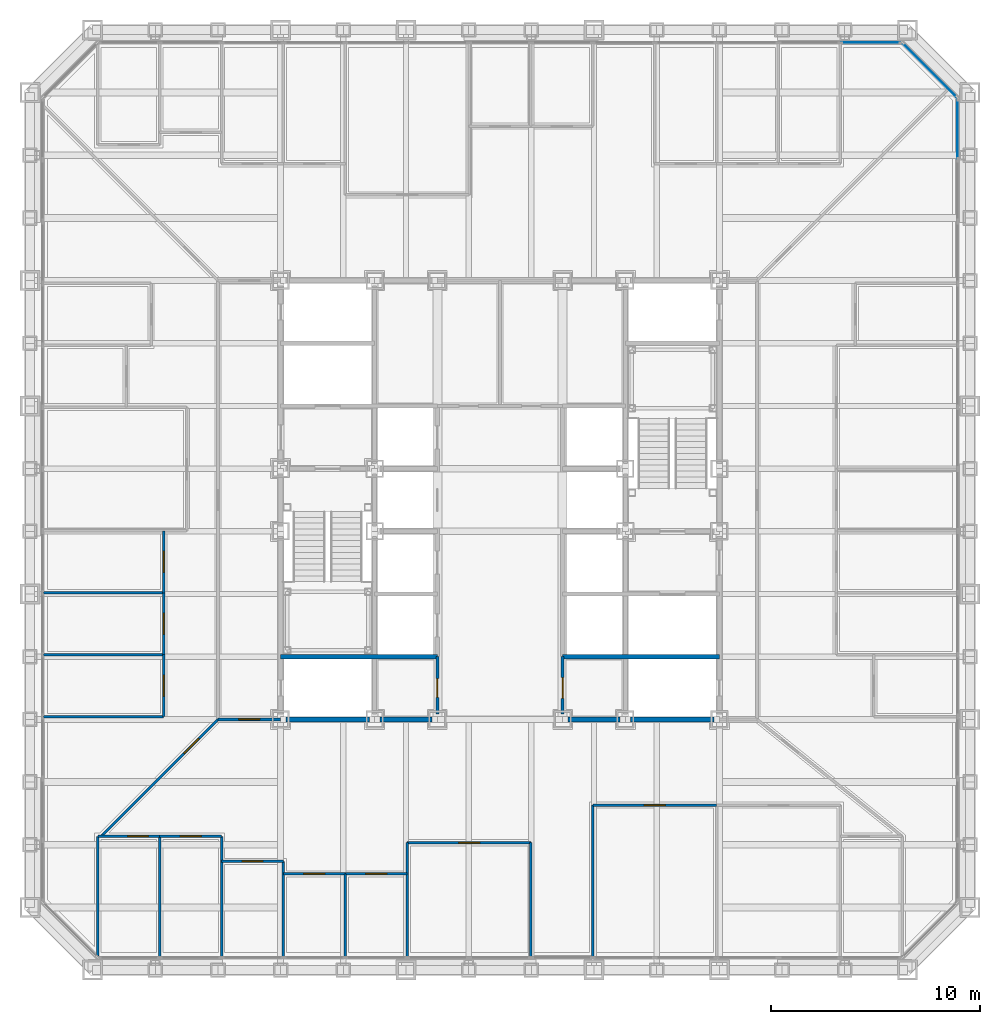
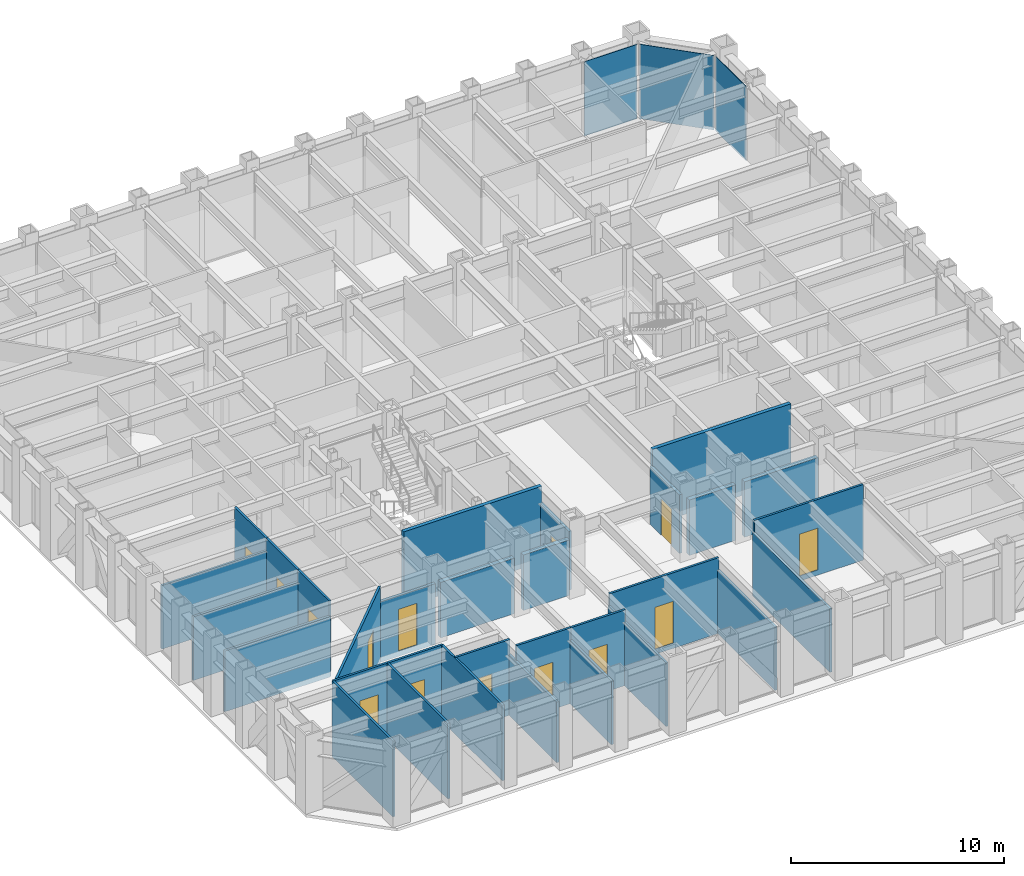
# One storey, part 8 of 17: 31 walls, 14 doors, 3 plates, 14 openings, 3 elements without a shape of their own.
"""IFC4 building model written with IfcOpenShell, lengths in metres."""

from ifc_helpers import new_model, si_unit, direction, frame, frame_2d, origin, origin_2d, place, context, subcontext, project, spatial, rectangle, extrude, material, layer, layer_set, type_object, element, fill, aggregate, save


model = new_model("IFC4")

# Units and contexts
model_context = context("Model", 3, precision=1e-05, world=origin(), true_north=direction((0.0, 1.0)))
body_context = subcontext(model_context, "Body", "Model", "MODEL_VIEW")
ifc_project = project(units=[si_unit("LENGTHUNIT", "METRE"), si_unit("AREAUNIT", "SQUARE_METRE"), si_unit("VOLUMEUNIT", "CUBIC_METRE"), si_unit("PLANEANGLEUNIT", "RADIAN"), si_unit("MASSUNIT", "GRAM", prefix="KILO")], contexts=[model_context])

# Site, building, storey
site_placement = place(None, origin())
site = spatial("IfcSite", under=ifc_project, at=site_placement, CompositionType="ELEMENT")
building_placement = place(site_placement, origin())
building = spatial("IfcBuilding", under=site, at=building_placement, Name="Chuquiago Exchange Tower", CompositionType="ELEMENT")
storey_placement = place(building_placement, frame((0.0, 0.0, 42.300048828125)))
storey = spatial("IfcBuildingStorey", under=building, at=storey_placement, Name="L08", CompositionType="ELEMENT", Elevation=42.300048828125)

# Curtain wall, plate
ifc_material_1 = material(Name="Aluminium curtain wall system", Category="aluminium")
ifc_layer_1 = layer(ifc_material_1, 0.25)
ifc_layer_set_1 = layer_set([ifc_layer_1], Name="CW1 trading floor curtain wall")
curtain_wall_type_1 = type_object("IfcCurtainWallType", Name="CW1 trading floor curtain wall", PredefinedType="NOTDEFINED", material=ifc_layer_set_1)
curtain_wall_1_placement = place(storey_placement, origin())
curtain_wall_1 = element("IfcCurtainWall", 1, at=curtain_wall_1_placement, inside=storey, type_object=curtain_wall_type_1, Name="CW1 curtain wall L08", PredefinedType="NOTDEFINED")
ifc_material_2 = material(Name="Insulated spandrel panel, pale anodised aluminium", Category="aluminium")
ifc_layer_2 = layer(ifc_material_2, 0.031982421875)
ifc_layer_set_2 = layer_set([ifc_layer_2], Name="CW1-P spandrel panel 32")
plate_type_1 = type_object("IfcPlateType", Name="CW1-P spandrel panel 32", PredefinedType="CURTAIN_PANEL", material=ifc_layer_set_2)
plate_1_placement = place(storey_placement, frame((44.39990234375, 40.251953125, -0.22509765625), z_axis=(0.0, 0.0, 1.0), x_axis=(0.0, 1.0, 0.0)))
plate_1 = element("IfcPlate", 2, at=plate_1_placement, type_object=plate_type_1, Name="CW1 panel 13.1", PredefinedType="CURTAIN_PANEL", context=body_context, shape_type="SweptSolid", body=[
    extrude(rectangle(XDim=2.849365234375, YDim=0.031982421875, at=origin_2d()), origin(), (0.0, 0.0, 1.0), 4.264892578125),
])
aggregate(curtain_wall_1, [plate_1])

curtain_wall_2_placement = place(storey_placement, origin())
curtain_wall_2 = element("IfcCurtainWall", 3, at=curtain_wall_2_placement, inside=storey, type_object=curtain_wall_type_1, Name="CW1 curtain wall L08", PredefinedType="NOTDEFINED")
plate_2_placement = place(storey_placement, frame((40.251953125, 44.39990234375, -0.22509765625), z_axis=(0.0, 0.0, 1.0), x_axis=(-1.0, 0.0, 0.0)))
plate_2 = element("IfcPlate", 4, at=plate_2_placement, type_object=plate_type_1, Name="CW1 panel 1.1", PredefinedType="CURTAIN_PANEL", context=body_context, shape_type="SweptSolid", body=[
    extrude(rectangle(XDim=2.849365234375, YDim=0.031982421875, at=origin_2d()), origin(), (0.0, 0.0, 1.0), 4.264892578125),
])
aggregate(curtain_wall_2, [plate_2])

ifc_material_3 = material(Name="Aluminium curtain wall system", Category="aluminium")
ifc_layer_3 = layer(ifc_material_3, 0.199951171875)
ifc_layer_set_3 = layer_set([ifc_layer_3], Name="CW3 facet curtain wall")
curtain_wall_type_2 = type_object("IfcCurtainWallType", Name="CW3 facet curtain wall", PredefinedType="NOTDEFINED", material=ifc_layer_set_3)
curtain_wall_3_placement = place(storey_placement, origin())
curtain_wall_3 = element("IfcCurtainWall", 5, at=curtain_wall_3_placement, inside=storey, type_object=curtain_wall_type_2, Name="CW3 curtain wall L08", PredefinedType="NOTDEFINED")
ifc_material_4 = material(Name="Insulated spandrel panel, pale anodised aluminium", Category="aluminium")
ifc_layer_4 = layer(ifc_material_4, 0.030029296875)
ifc_layer_set_4 = layer_set([ifc_layer_4], Name="CW3-P spandrel panel 30")
plate_type_2 = type_object("IfcPlateType", Name="CW3-P spandrel panel 30", PredefinedType="CURTAIN_PANEL", material=ifc_layer_set_4)
plate_3_placement = place(storey_placement, frame((43.07568359375, 43.07568359375, -0.235107421875), z_axis=(0.0, 0.0, 1.0), x_axis=(-0.707106781187, 0.707106781187, 0.0)))
plate_3 = element("IfcPlate", 6, at=plate_3_placement, type_object=plate_type_2, Name="CW3 panel 1.1", PredefinedType="CURTAIN_PANEL", context=body_context, shape_type="SweptSolid", body=[
    extrude(rectangle(XDim=3.615478515625, YDim=0.030029296875, at=origin_2d()), origin(), (0.0, 0.0, 1.0), 4.27490234375),
])
aggregate(curtain_wall_3, [plate_3])

# Walls
ifc_material_5 = material(Name="Concrete masonry, fully grouted", Category="masonry")
ifc_layer_5 = layer(ifc_material_5, 0.25)
ifc_layer_set_5 = layer_set([ifc_layer_5], Name="W1 core wall 250")
wall_type_1 = type_object("IfcWallType", Name="W1 core wall 250", PredefinedType="SOLIDWALL", material=ifc_layer_set_5)
wall_1_placement = place(storey_placement, frame((12.25, 12.0, 0.0), z_axis=(0.0, 0.0, 1.0), x_axis=(1.0, 0.0, 0.0)))
element("IfcWall", 7, at=wall_1_placement, inside=storey, type_object=wall_type_1, Name="CW-L08-01-0", PredefinedType="SOLIDWALL", context=body_context, shape_type="SweptSolid", body=[
    extrude(rectangle(XDim=4.0, YDim=0.25, at=frame_2d((2.0, 0.0))), origin(), (0.0, 0.0, 1.0), 3.181396484375),
])
for number, where, z_axis, x_axis, name in (
    (8, (16.75, 12.0, 0.0), (0.0, 0.0, 1.0), (1.0, 0.0, 0.0), "CW-L08-01-1"),
    (9, (25.75, 12.0, 0.0), (0.0, 0.0, 1.0), (1.0, 0.0, 0.0), "CW-L08-02-0"),
):
    element("IfcWall", number, at=place(storey_placement, frame(where, z_axis=z_axis, x_axis=x_axis)), inside=storey, type_object=wall_type_1, Name=name, PredefinedType="SOLIDWALL", context=body_context, shape_type="SweptSolid", body=[
        extrude(rectangle(XDim=2.5, YDim=0.25, at=frame_2d((1.25, 0.0))), origin(), (0.0, 0.0, 1.0), 3.181396484375),
    ])
wall_2_placement = place(storey_placement, frame((28.75, 12.0, 0.0), z_axis=(0.0, 0.0, 1.0), x_axis=(1.0, 0.0, 0.0)))
element("IfcWall", 10, at=wall_2_placement, inside=storey, type_object=wall_type_1, Name="CW-L08-02-1", PredefinedType="SOLIDWALL", context=body_context, shape_type="SweptSolid", body=[
    extrude(rectangle(XDim=4.0, YDim=0.25, at=frame_2d((2.0, 0.0))), origin(), (0.0, 0.0, 1.0), 3.181396484375),
])

# Wall, opening, door
ifc_material_6 = material(Name="Gypsum board on steel studs, acoustic insulation", Category="steel")
ifc_layer_6 = layer(ifc_material_6, 0.14990234375)
ifc_layer_set_6 = layer_set([ifc_layer_6], Name="W11 corridor wall 150")
wall_type_2 = type_object("IfcWallType", Name="W11 corridor wall 150", PredefinedType="PARTITIONING", material=ifc_layer_set_6)
wall_3_placement = place(storey_placement, frame((9.0, 12.0, -0.300048828125), z_axis=(0.0, 0.0, 1.0), x_axis=(1.0, 0.0, 0.0)))
wall_3 = element("IfcWall", 11, at=wall_3_placement, inside=storey, type_object=wall_type_2, Name="PW-L08-GWS0", PredefinedType="PARTITIONING", context=body_context, shape_type="SweptSolid", body=[
    extrude(rectangle(XDim=3.0, YDim=0.14990234375, at=frame_2d((1.5, 0.0))), origin(), (0.0, 0.0, 1.0), 3.4814453125),
])
opening_1_placement = place(wall_3_placement, frame((1.0, 0.0, 0.300048828125)))
opening_1 = element("IfcOpeningElement", 12, at=opening_1_placement, cuts=wall_3, Name="Opening L08-052", PredefinedType="OPENING", context=body_context, shape_type="SweptSolid", body=[
    extrude(rectangle(XDim=1.0, YDim=2.39990234375, at=frame_2d((0.5, 1.199951171875))), frame((0.0, 0.0849609375, 0.0), z_axis=(0.0, -1.0, 0.0), x_axis=(1.0, 0.0, 0.0)), (0.0, 0.0, 1.0), 0.169921875),
])
ifc_material_7 = material(Name="Timber door, laminate faced", Category="wood")
door_type_1 = type_object("IfcDoorType", Name="D9 room door 1000x2400", OperationType="SINGLE_SWING_LEFT", PredefinedType="DOOR", material=ifc_material_7)
door_1_placement = place(opening_1_placement, origin())
door_1 = element("IfcDoor", 13, at=door_1_placement, inside=storey, type_object=door_type_1, Name="Team area door", OperationType="SINGLE_SWING_RIGHT", OverallHeight=2.39990234375, OverallWidth=1.0, PredefinedType="DOOR", context=body_context, shape_type="SweptSolid", body=[
    extrude(rectangle(XDim=1.0, YDim=2.39990234375, at=frame_2d((0.5, 1.199951171875))), frame((0.0, 0.02490234375, 0.0), z_axis=(0.0, -1.0, 0.0), x_axis=(1.0, 0.0, 0.0)), (0.0, 0.0, 1.0), 0.050048828125),
])
fill(opening_1, door_1)

# Walls
ifc_material_8 = material(Name="Concrete masonry, fully grouted", Category="masonry")
ifc_layer_7 = layer(ifc_material_8, 0.199951171875)
ifc_layer_set_7 = layer_set([ifc_layer_7], Name="W2 shaft wall 200")
wall_type_3 = type_object("IfcWallType", Name="W2 shaft wall 200", PredefinedType="SOLIDWALL", material=ifc_layer_set_7)
for number, where, z_axis, x_axis, name in (
    (14, (12.0, 15.0, 0.0), (0.0, 0.0, 1.0), (1.0, 0.0, 0.0), "CW-L08-03-0"),
    (15, (25.5, 15.0, 0.0), (0.0, 0.0, 1.0), (1.0, 0.0, 0.0), "CW-L08-04-0"),
):
    element("IfcWall", number, at=place(storey_placement, frame(where, z_axis=z_axis, x_axis=x_axis)), inside=storey, type_object=wall_type_3, Name=name, PredefinedType="SOLIDWALL", context=body_context, shape_type="SweptSolid", body=[
        extrude(rectangle(XDim=7.5, YDim=0.199951171875, at=frame_2d((3.75, 0.0))), origin(), (0.0, 0.0, 1.0), 4.33984375),
    ])

# Wall, opening, door
ifc_material_9 = material(Name="Gypsum board on steel studs", Category="steel")
ifc_layer_8 = layer(ifc_material_9, 0.14990234375)
ifc_layer_set_8 = layer_set([ifc_layer_8], Name="W3 core partition 150")
wall_type_4 = type_object("IfcWallType", Name="W3 core partition 150", PredefinedType="PARTITIONING", material=ifc_layer_set_8)
wall_4_placement = place(storey_placement, frame((19.5, 12.25, 0.0), z_axis=(0.0, 0.0, 1.0), x_axis=(0.0, 1.0, 0.0)))
wall_4 = element("IfcWall", 16, at=wall_4_placement, inside=storey, type_object=wall_type_4, Name="CW-L08-18-0", PredefinedType="PARTITIONING", context=body_context, shape_type="SweptSolid", body=[
    extrude(rectangle(XDim=2.75, YDim=0.14990234375, at=frame_2d((1.375, 0.0))), origin(), (0.0, 0.0, 1.0), 3.364501953125),
])
opening_2_placement = place(wall_4_placement, frame((0.800048828125, 0.0, 0.0)))
opening_2 = element("IfcOpeningElement", 17, at=opening_2_placement, cuts=wall_4, Name="Opening L08-014", PredefinedType="OPENING", context=body_context, shape_type="SweptSolid", body=[
    extrude(rectangle(XDim=0.89990234375, YDim=2.10009765625, at=frame_2d((0.449951171875, 1.050048828125))), frame((0.0, 0.0849609375, 0.0), z_axis=(0.0, -1.0, 0.0), x_axis=(1.0, 0.0, 0.0)), (0.0, 0.0, 1.0), 0.169921875),
])
ifc_material_10 = material(Name="Timber door, laminate faced", Category="wood")
door_type_2 = type_object("IfcDoorType", Name="D7 toilet door 900x2100", OperationType="SINGLE_SWING_LEFT", PredefinedType="DOOR", material=ifc_material_10)
door_2_placement = place(opening_2_placement, frame((0.89990234375, 0.0, 0.0), z_axis=(0.0, 0.0, 1.0), x_axis=(-1.0, 0.0, 0.0)))
door_2 = element("IfcDoor", 18, at=door_2_placement, inside=storey, type_object=door_type_2, Name="Cleaner door", OperationType="SINGLE_SWING_RIGHT", OverallHeight=2.10009765625, OverallWidth=0.89990234375, PredefinedType="DOOR", context=body_context, shape_type="SweptSolid", body=[
    extrude(rectangle(XDim=0.89990234375, YDim=2.10009765625, at=frame_2d((0.449951171875, 1.050048828125))), frame((0.0, 0.02490234375, 0.0), z_axis=(0.0, -1.0, 0.0), x_axis=(1.0, 0.0, 0.0)), (0.0, 0.0, 1.0), 0.050048828125),
])
fill(opening_2, door_2)

wall_5_placement = place(storey_placement, frame((25.5, 12.25, 0.0), z_axis=(0.0, 0.0, 1.0), x_axis=(0.0, 1.0, 0.0)))
wall_5 = element("IfcWall", 19, at=wall_5_placement, inside=storey, type_object=wall_type_4, Name="CW-L08-21-0", PredefinedType="PARTITIONING", context=body_context, shape_type="SweptSolid", body=[
    extrude(rectangle(XDim=2.75, YDim=0.14990234375, at=frame_2d((1.375, 0.0))), origin(), (0.0, 0.0, 1.0), 3.364501953125),
])
opening_3_placement = place(wall_5_placement, frame((0.75, 0.0, 0.0)))
opening_3 = element("IfcOpeningElement", 20, at=opening_3_placement, cuts=wall_5, Name="Opening L08-013", PredefinedType="OPENING", context=body_context, shape_type="SweptSolid", body=[
    extrude(rectangle(XDim=1.0, YDim=2.10009765625, at=frame_2d((0.5, 1.050048828125))), frame((0.0, 0.0849609375, 0.0), z_axis=(0.0, -1.0, 0.0), x_axis=(1.0, 0.0, 0.0)), (0.0, 0.0, 1.0), 0.169921875),
])
ifc_material_11 = material(Name="Timber door, laminate faced", Category="wood")
door_type_3 = type_object("IfcDoorType", Name="D8 accessible toilet door 1000x2100", OperationType="SLIDING_TO_LEFT", PredefinedType="DOOR", material=ifc_material_11)
door_3_placement = place(opening_3_placement, origin())
door_3 = element("IfcDoor", 21, at=door_3_placement, inside=storey, type_object=door_type_3, Name="Accessible WC door", OperationType="SLIDING_TO_LEFT", OverallHeight=2.10009765625, OverallWidth=1.0, PredefinedType="DOOR", context=body_context, shape_type="SweptSolid", body=[
    extrude(rectangle(XDim=1.0, YDim=2.10009765625, at=frame_2d((0.5, 1.050048828125))), frame((0.0, 0.02490234375, 0.0), z_axis=(0.0, -1.0, 0.0), x_axis=(1.0, 0.0, 0.0)), (0.0, 0.0, 1.0), 0.050048828125),
])
fill(opening_3, door_3)

# Walls
ifc_material_12 = material(Name="Gypsum board on steel studs", Category="steel")
ifc_layer_9 = layer(ifc_material_12, 0.1201171875)
ifc_layer_set_9 = layer_set([ifc_layer_9], Name="W4 partition 120")
wall_type_5 = type_object("IfcWallType", Name="W4 partition 120", PredefinedType="PARTITIONING", material=ifc_layer_set_9)
wall_6_placement = place(storey_placement, frame((3.24853515625, 0.666015625, -0.300048828125), z_axis=(0.0, 0.0, 1.0), x_axis=(0.0, 1.0, 0.0)))
element("IfcWall", 22, at=wall_6_placement, inside=storey, type_object=wall_type_5, Name="PW-L08-S00325", PredefinedType="PARTITIONING", context=body_context, shape_type="SweptSolid", body=[
    extrude(rectangle(XDim=5.73388671875, YDim=0.1201171875, at=frame_2d((2.866943359375, 0.0))), origin(), (0.0, 0.0, 1.0), 4.340087890625),
])
for number, where, z_axis, x_axis, name in (
    (23, (6.210205078125, 0.657470703125, -0.300048828125), (0.0, 0.0, 1.0), (0.0, 1.0, 0.0), "PW-L08-S00621"),
    (24, (9.172119140625, 0.657470703125, -0.300048828125), (0.0, 0.0, 1.0), (0.0, 1.0, 0.0), "PW-L08-S00917"),
):
    element("IfcWall", number, at=place(storey_placement, frame(where, z_axis=z_axis, x_axis=x_axis)), inside=storey, type_object=wall_type_5, Name=name, PredefinedType="PARTITIONING", context=body_context, shape_type="SweptSolid", body=[
        extrude(rectangle(XDim=5.742431640625, YDim=0.1201171875, at=frame_2d((2.87109375, 0.0))), origin(), (0.0, 0.0, 1.0), 4.340087890625),
    ])
wall_7_placement = place(storey_placement, frame((12.1337890625, 0.657470703125, -0.300048828125), z_axis=(0.0, 0.0, 1.0), x_axis=(0.0, 1.0, 0.0)))
element("IfcWall", 25, at=wall_7_placement, inside=storey, type_object=wall_type_5, Name="PW-L08-S01213", PredefinedType="PARTITIONING", context=body_context, shape_type="SweptSolid", body=[
    extrude(rectangle(XDim=4.54248046875, YDim=0.1201171875, at=frame_2d((2.271240234375, 0.0))), origin(), (0.0, 0.0, 1.0), 3.4814453125),
])
wall_8_placement = place(storey_placement, frame((15.095703125, 0.657470703125, -0.300048828125), z_axis=(0.0, 0.0, 1.0), x_axis=(0.0, 1.0, 0.0)))
element("IfcWall", 26, at=wall_8_placement, inside=storey, type_object=wall_type_5, Name="PW-L08-S01510", PredefinedType="PARTITIONING", context=body_context, shape_type="SweptSolid", body=[
    extrude(rectangle(XDim=3.942626953125, YDim=0.1201171875, at=frame_2d((1.97119140625, 0.0))), origin(), (0.0, 0.0, 1.0), 3.646484375),
])
for number, where, z_axis, x_axis, name in (
    (27, (18.057373046875, 0.657470703125, -0.300048828125), (0.0, 0.0, 1.0), (0.0, 1.0, 0.0), "PW-L08-S01806"),
    (28, (23.98095703125, 0.657470703125, -0.300048828125), (0.0, 0.0, 1.0), (0.0, 1.0, 0.0), "PW-L08-S02398"),
):
    element("IfcWall", number, at=place(storey_placement, frame(where, z_axis=z_axis, x_axis=x_axis)), inside=storey, type_object=wall_type_5, Name=name, PredefinedType="PARTITIONING", context=body_context, shape_type="SweptSolid", body=[
        extrude(rectangle(XDim=5.442626953125, YDim=0.1201171875, at=frame_2d((2.72119140625, 0.0))), origin(), (0.0, 0.0, 1.0), 3.646484375),
    ])
wall_9_placement = place(storey_placement, frame((26.942626953125, 0.657470703125, -0.300048828125), z_axis=(0.0, 0.0, 1.0), x_axis=(0.0, 1.0, 0.0)))
element("IfcWall", 29, at=wall_9_placement, inside=storey, type_object=wall_type_5, Name="PW-L08-S02694", PredefinedType="PARTITIONING", context=body_context, shape_type="SweptSolid", body=[
    extrude(rectangle(XDim=7.242431640625, YDim=0.1201171875, at=frame_2d((3.62109375, 0.0))), origin(), (0.0, 0.0, 1.0), 3.646484375),
])

# Wall, opening, door
wall_10_placement = place(storey_placement, frame((3.24853515625, 6.39990234375, -0.300048828125), z_axis=(0.0, 0.0, 1.0), x_axis=(1.0, 0.0, 0.0)))
wall_10 = element("IfcWall", 30, at=wall_10_placement, inside=storey, type_object=wall_type_5, Name="PW-L08-SF00325", PredefinedType="PARTITIONING", context=body_context, shape_type="SweptSolid", body=[
    extrude(rectangle(XDim=2.961669921875, YDim=0.1201171875, at=frame_2d((1.48095703125, 0.0))), origin(), (0.0, 0.0, 1.0), 4.340087890625),
])
opening_4_placement = place(wall_10_placement, frame((1.42529296875, 0.0, 0.300048828125)))
opening_4 = element("IfcOpeningElement", 31, at=opening_4_placement, cuts=wall_10, Name="Opening L08-019", PredefinedType="OPENING", context=body_context, shape_type="SweptSolid", body=[
    extrude(rectangle(XDim=1.0, YDim=2.39990234375, at=frame_2d((0.5, 1.199951171875))), frame((0.0, 0.070068359375, 0.0), z_axis=(0.0, -1.0, 0.0), x_axis=(1.0, 0.0, 0.0)), (0.0, 0.0, 1.0), 0.14013671875),
])
door_4_placement = place(opening_4_placement, frame((1.0, 0.0, 0.0), z_axis=(0.0, 0.0, 1.0), x_axis=(-1.0, 0.0, 0.0)))
door_4 = element("IfcDoor", 32, at=door_4_placement, inside=storey, type_object=door_type_1, Name="Office door", OperationType="SINGLE_SWING_LEFT", OverallHeight=2.39990234375, OverallWidth=1.0, PredefinedType="DOOR", context=body_context, shape_type="SweptSolid", body=[
    extrude(rectangle(XDim=1.0, YDim=2.39990234375, at=frame_2d((0.5, 1.199951171875))), frame((0.0, 0.02490234375, 0.0), z_axis=(0.0, -1.0, 0.0), x_axis=(1.0, 0.0, 0.0)), (0.0, 0.0, 1.0), 0.050048828125),
])
fill(opening_4, door_4)

wall_11_placement = place(storey_placement, frame((6.210205078125, 6.39990234375, -0.300048828125), z_axis=(0.0, 0.0, 1.0), x_axis=(1.0, 0.0, 0.0)))
wall_11 = element("IfcWall", 33, at=wall_11_placement, inside=storey, type_object=wall_type_5, Name="PW-L08-SF00621", PredefinedType="PARTITIONING", context=body_context, shape_type="SweptSolid", body=[
    extrude(rectangle(XDim=2.9619140625, YDim=0.1201171875, at=frame_2d((1.48095703125, 0.0))), origin(), (0.0, 0.0, 1.0), 4.340087890625),
])
opening_5_placement = place(wall_11_placement, frame((0.98095703125, 0.0, 0.300048828125)))
opening_5 = element("IfcOpeningElement", 34, at=opening_5_placement, cuts=wall_11, Name="Opening L08-020", PredefinedType="OPENING", context=body_context, shape_type="SweptSolid", body=[
    extrude(rectangle(XDim=1.0, YDim=2.39990234375, at=frame_2d((0.5, 1.199951171875))), frame((0.0, 0.070068359375, 0.0), z_axis=(0.0, -1.0, 0.0), x_axis=(1.0, 0.0, 0.0)), (0.0, 0.0, 1.0), 0.14013671875),
])
door_5_placement = place(opening_5_placement, frame((1.0, 0.0, 0.0), z_axis=(0.0, 0.0, 1.0), x_axis=(-1.0, 0.0, 0.0)))
door_5 = element("IfcDoor", 35, at=door_5_placement, inside=storey, type_object=door_type_1, Name="Office door", OperationType="SINGLE_SWING_RIGHT", OverallHeight=2.39990234375, OverallWidth=1.0, PredefinedType="DOOR", context=body_context, shape_type="SweptSolid", body=[
    extrude(rectangle(XDim=1.0, YDim=2.39990234375, at=frame_2d((0.5, 1.199951171875))), frame((0.0, 0.02490234375, 0.0), z_axis=(0.0, -1.0, 0.0), x_axis=(1.0, 0.0, 0.0)), (0.0, 0.0, 1.0), 0.050048828125),
])
fill(opening_5, door_5)

wall_12_placement = place(storey_placement, frame((9.172119140625, 5.199951171875, -0.300048828125), z_axis=(0.0, 0.0, 1.0), x_axis=(1.0, 0.0, 0.0)))
wall_12 = element("IfcWall", 36, at=wall_12_placement, inside=storey, type_object=wall_type_5, Name="PW-L08-SF00917", PredefinedType="PARTITIONING", context=body_context, shape_type="SweptSolid", body=[
    extrude(rectangle(XDim=2.961669921875, YDim=0.1201171875, at=frame_2d((1.48095703125, 0.0))), origin(), (0.0, 0.0, 1.0), 4.340087890625),
])
opening_6_placement = place(wall_12_placement, frame((0.98095703125, 0.0, 0.300048828125)))
opening_6 = element("IfcOpeningElement", 37, at=opening_6_placement, cuts=wall_12, Name="Opening L08-021", PredefinedType="OPENING", context=body_context, shape_type="SweptSolid", body=[
    extrude(rectangle(XDim=1.0, YDim=2.39990234375, at=frame_2d((0.5, 1.199951171875))), frame((0.0, 0.070068359375, 0.0), z_axis=(0.0, -1.0, 0.0), x_axis=(1.0, 0.0, 0.0)), (0.0, 0.0, 1.0), 0.14013671875),
])
door_6_placement = place(opening_6_placement, frame((1.0, 0.0, 0.0), z_axis=(0.0, 0.0, 1.0), x_axis=(-1.0, 0.0, 0.0)))
door_6 = element("IfcDoor", 38, at=door_6_placement, inside=storey, type_object=door_type_1, Name="Pantry door", OperationType="SINGLE_SWING_LEFT", OverallHeight=2.39990234375, OverallWidth=1.0, PredefinedType="DOOR", context=body_context, shape_type="SweptSolid", body=[
    extrude(rectangle(XDim=1.0, YDim=2.39990234375, at=frame_2d((0.5, 1.199951171875))), frame((0.0, 0.02490234375, 0.0), z_axis=(0.0, -1.0, 0.0), x_axis=(1.0, 0.0, 0.0)), (0.0, 0.0, 1.0), 0.050048828125),
])
fill(opening_6, door_6)

wall_13_placement = place(storey_placement, frame((12.1337890625, 4.60009765625, -0.300048828125), z_axis=(0.0, 0.0, 1.0), x_axis=(1.0, 0.0, 0.0)))
wall_13 = element("IfcWall", 39, at=wall_13_placement, inside=storey, type_object=wall_type_5, Name="PW-L08-SF01213", PredefinedType="PARTITIONING", context=body_context, shape_type="SweptSolid", body=[
    extrude(rectangle(XDim=2.9619140625, YDim=0.1201171875, at=frame_2d((1.48095703125, 0.0))), origin(), (0.0, 0.0, 1.0), 4.340087890625),
])
opening_7_placement = place(wall_13_placement, frame((0.98095703125, 0.0, 0.300048828125)))
opening_7 = element("IfcOpeningElement", 40, at=opening_7_placement, cuts=wall_13, Name="Opening L08-022", PredefinedType="OPENING", context=body_context, shape_type="SweptSolid", body=[
    extrude(rectangle(XDim=1.0, YDim=2.39990234375, at=frame_2d((0.5, 1.199951171875))), frame((0.0, 0.070068359375, 0.0), z_axis=(0.0, -1.0, 0.0), x_axis=(1.0, 0.0, 0.0)), (0.0, 0.0, 1.0), 0.14013671875),
])
ifc_material_13 = material(Name="Timber frame door, full height glazed panel", Category="wood")
door_type_4 = type_object("IfcDoorType", Name="D14 glazed meeting room door 1000x2400", OperationType="SINGLE_SWING_LEFT", PredefinedType="DOOR", material=ifc_material_13)
door_7_placement = place(opening_7_placement, frame((1.0, 0.0, 0.0), z_axis=(0.0, 0.0, 1.0), x_axis=(-1.0, 0.0, 0.0)))
door_7 = element("IfcDoor", 41, at=door_7_placement, inside=storey, type_object=door_type_4, Name="Focus room door", OperationType="SINGLE_SWING_LEFT", OverallHeight=2.39990234375, OverallWidth=1.0, PredefinedType="DOOR", context=body_context, shape_type="SweptSolid", body=[
    extrude(rectangle(XDim=1.0, YDim=2.39990234375, at=frame_2d((0.5, 1.199951171875))), frame((0.0, 0.02490234375, 0.0), z_axis=(0.0, -1.0, 0.0), x_axis=(1.0, 0.0, 0.0)), (0.0, 0.0, 1.0), 0.050048828125),
])
fill(opening_7, door_7)

wall_14_placement = place(storey_placement, frame((15.095703125, 4.60009765625, -0.300048828125), z_axis=(0.0, 0.0, 1.0), x_axis=(1.0, 0.0, 0.0)))
wall_14 = element("IfcWall", 42, at=wall_14_placement, inside=storey, type_object=wall_type_5, Name="PW-L08-SF01510", PredefinedType="PARTITIONING", context=body_context, shape_type="SweptSolid", body=[
    extrude(rectangle(XDim=2.961669921875, YDim=0.1201171875, at=frame_2d((1.48095703125, 0.0))), origin(), (0.0, 0.0, 1.0), 4.340087890625),
])
opening_8_placement = place(wall_14_placement, frame((0.98095703125, 0.0, 0.300048828125)))
opening_8 = element("IfcOpeningElement", 43, at=opening_8_placement, cuts=wall_14, Name="Opening L08-023", PredefinedType="OPENING", context=body_context, shape_type="SweptSolid", body=[
    extrude(rectangle(XDim=1.0, YDim=2.39990234375, at=frame_2d((0.5, 1.199951171875))), frame((0.0, 0.070068359375, 0.0), z_axis=(0.0, -1.0, 0.0), x_axis=(1.0, 0.0, 0.0)), (0.0, 0.0, 1.0), 0.14013671875),
])
door_8_placement = place(opening_8_placement, frame((1.0, 0.0, 0.0), z_axis=(0.0, 0.0, 1.0), x_axis=(-1.0, 0.0, 0.0)))
door_8 = element("IfcDoor", 44, at=door_8_placement, inside=storey, type_object=door_type_4, Name="Focus room door", OperationType="SINGLE_SWING_RIGHT", OverallHeight=2.39990234375, OverallWidth=1.0, PredefinedType="DOOR", context=body_context, shape_type="SweptSolid", body=[
    extrude(rectangle(XDim=1.0, YDim=2.39990234375, at=frame_2d((0.5, 1.199951171875))), frame((0.0, 0.02490234375, 0.0), z_axis=(0.0, -1.0, 0.0), x_axis=(1.0, 0.0, 0.0)), (0.0, 0.0, 1.0), 0.050048828125),
])
fill(opening_8, door_8)

wall_15_placement = place(storey_placement, frame((18.057373046875, 6.10009765625, -0.300048828125), z_axis=(0.0, 0.0, 1.0), x_axis=(1.0, 0.0, 0.0)))
wall_15 = element("IfcWall", 45, at=wall_15_placement, inside=storey, type_object=wall_type_5, Name="PW-L08-SF01806", PredefinedType="PARTITIONING", context=body_context, shape_type="SweptSolid", body=[
    extrude(rectangle(XDim=5.923583984375, YDim=0.1201171875, at=frame_2d((2.9619140625, 0.0))), origin(), (0.0, 0.0, 1.0), 4.340087890625),
])
opening_9_placement = place(wall_15_placement, frame((2.461669921875, 0.0, 0.300048828125)))
opening_9 = element("IfcOpeningElement", 46, at=opening_9_placement, cuts=wall_15, Name="Opening L08-024", PredefinedType="OPENING", context=body_context, shape_type="SweptSolid", body=[
    extrude(rectangle(XDim=1.0, YDim=2.39990234375, at=frame_2d((0.5, 1.199951171875))), frame((0.0, 0.070068359375, 0.0), z_axis=(0.0, -1.0, 0.0), x_axis=(1.0, 0.0, 0.0)), (0.0, 0.0, 1.0), 0.14013671875),
])
door_9_placement = place(opening_9_placement, frame((1.0, 0.0, 0.0), z_axis=(0.0, 0.0, 1.0), x_axis=(-1.0, 0.0, 0.0)))
door_9 = element("IfcDoor", 47, at=door_9_placement, inside=storey, type_object=door_type_4, Name="Meeting room door", OperationType="SINGLE_SWING_RIGHT", OverallHeight=2.39990234375, OverallWidth=1.0, PredefinedType="DOOR", context=body_context, shape_type="SweptSolid", body=[
    extrude(rectangle(XDim=1.0, YDim=2.39990234375, at=frame_2d((0.5, 1.199951171875))), frame((0.0, 0.02490234375, 0.0), z_axis=(0.0, -1.0, 0.0), x_axis=(1.0, 0.0, 0.0)), (0.0, 0.0, 1.0), 0.050048828125),
])
fill(opening_9, door_9)

wall_16_placement = place(storey_placement, frame((26.942626953125, 7.89990234375, -0.300048828125), z_axis=(0.0, 0.0, 1.0), x_axis=(1.0, 0.0, 0.0)))
wall_16 = element("IfcWall", 48, at=wall_16_placement, inside=storey, type_object=wall_type_5, Name="PW-L08-SF02694", PredefinedType="PARTITIONING", context=body_context, shape_type="SweptSolid", body=[
    extrude(rectangle(XDim=5.923583984375, YDim=0.1201171875, at=frame_2d((2.9619140625, 0.0))), origin(), (0.0, 0.0, 1.0), 4.340087890625),
])
opening_10_placement = place(wall_16_placement, frame((2.4619140625, 0.0, 0.300048828125)))
opening_10 = element("IfcOpeningElement", 49, at=opening_10_placement, cuts=wall_16, Name="Opening L08-025", PredefinedType="OPENING", context=body_context, shape_type="SweptSolid", body=[
    extrude(rectangle(XDim=1.0, YDim=2.39990234375, at=frame_2d((0.5, 1.199951171875))), frame((0.0, 0.070068359375, 0.0), z_axis=(0.0, -1.0, 0.0), x_axis=(1.0, 0.0, 0.0)), (0.0, 0.0, 1.0), 0.14013671875),
])
door_10_placement = place(opening_10_placement, frame((1.0, 0.0, 0.0), z_axis=(0.0, 0.0, 1.0), x_axis=(-1.0, 0.0, 0.0)))
door_10 = element("IfcDoor", 50, at=door_10_placement, inside=storey, type_object=door_type_1, Name="Risk management office door", OperationType="SINGLE_SWING_RIGHT", OverallHeight=2.39990234375, OverallWidth=1.0, PredefinedType="DOOR", context=body_context, shape_type="SweptSolid", body=[
    extrude(rectangle(XDim=1.0, YDim=2.39990234375, at=frame_2d((0.5, 1.199951171875))), frame((0.0, 0.02490234375, 0.0), z_axis=(0.0, -1.0, 0.0), x_axis=(1.0, 0.0, 0.0)), (0.0, 0.0, 1.0), 0.050048828125),
])
fill(opening_10, door_10)

# Walls
wall_17_placement = place(storey_placement, frame((0.657470703125, 12.1337890625, -0.300048828125), z_axis=(0.0, 0.0, 1.0), x_axis=(1.0, 0.0, 0.0)))
element("IfcWall", 51, at=wall_17_placement, inside=storey, type_object=wall_type_5, Name="PW-L08-W01213", PredefinedType="PARTITIONING", context=body_context, shape_type="SweptSolid", body=[
    extrude(rectangle(XDim=5.742431640625, YDim=0.1201171875, at=frame_2d((2.87109375, 0.0))), origin(), (0.0, 0.0, 1.0), 3.4814453125),
])
for number, where, z_axis, x_axis, name in (
    (52, (0.657470703125, 15.095703125, -0.300048828125), (0.0, 0.0, 1.0), (1.0, 0.0, 0.0), "PW-L08-W01510"),
    (53, (0.657470703125, 18.057373046875, -0.300048828125), (0.0, 0.0, 1.0), (1.0, 0.0, 0.0), "PW-L08-W01806"),
):
    element("IfcWall", number, at=place(storey_placement, frame(where, z_axis=z_axis, x_axis=x_axis)), inside=storey, type_object=wall_type_5, Name=name, PredefinedType="PARTITIONING", context=body_context, shape_type="SweptSolid", body=[
        extrude(rectangle(XDim=5.742431640625, YDim=0.1201171875, at=frame_2d((2.87109375, 0.0))), origin(), (0.0, 0.0, 1.0), 3.646484375),
    ])

# Wall, opening, door
wall_18_placement = place(storey_placement, frame((6.39990234375, 12.1337890625, -0.300048828125), z_axis=(0.0, 0.0, 1.0), x_axis=(0.0, 1.0, 0.0)))
wall_18 = element("IfcWall", 54, at=wall_18_placement, inside=storey, type_object=wall_type_5, Name="PW-L08-WF01213", PredefinedType="PARTITIONING", context=body_context, shape_type="SweptSolid", body=[
    extrude(rectangle(XDim=2.9619140625, YDim=0.1201171875, at=frame_2d((1.48095703125, 0.0))), origin(), (0.0, 0.0, 1.0), 4.340087890625),
])
opening_11_placement = place(wall_18_placement, frame((0.98095703125, 0.0, 0.300048828125)))
opening_11 = element("IfcOpeningElement", 55, at=opening_11_placement, cuts=wall_18, Name="Opening L08-044", PredefinedType="OPENING", context=body_context, shape_type="SweptSolid", body=[
    extrude(rectangle(XDim=1.0, YDim=2.39990234375, at=frame_2d((0.5, 1.199951171875))), frame((0.0, 0.070068359375, 0.0), z_axis=(0.0, -1.0, 0.0), x_axis=(1.0, 0.0, 0.0)), (0.0, 0.0, 1.0), 0.14013671875),
])
door_11_placement = place(opening_11_placement, origin())
door_11 = element("IfcDoor", 56, at=door_11_placement, inside=storey, type_object=door_type_4, Name="Meeting room door", OperationType="SINGLE_SWING_RIGHT", OverallHeight=2.39990234375, OverallWidth=1.0, PredefinedType="DOOR", context=body_context, shape_type="SweptSolid", body=[
    extrude(rectangle(XDim=1.0, YDim=2.39990234375, at=frame_2d((0.5, 1.199951171875))), frame((0.0, 0.02490234375, 0.0), z_axis=(0.0, -1.0, 0.0), x_axis=(1.0, 0.0, 0.0)), (0.0, 0.0, 1.0), 0.050048828125),
])
fill(opening_11, door_11)

wall_19_placement = place(storey_placement, frame((6.39990234375, 15.095703125, -0.300048828125), z_axis=(0.0, 0.0, 1.0), x_axis=(0.0, 1.0, 0.0)))
wall_19 = element("IfcWall", 57, at=wall_19_placement, inside=storey, type_object=wall_type_5, Name="PW-L08-WF01510", PredefinedType="PARTITIONING", context=body_context, shape_type="SweptSolid", body=[
    extrude(rectangle(XDim=2.961669921875, YDim=0.1201171875, at=frame_2d((1.48095703125, 0.0))), origin(), (0.0, 0.0, 1.0), 4.340087890625),
])
opening_12_placement = place(wall_19_placement, frame((0.98095703125, 0.0, 0.300048828125)))
opening_12 = element("IfcOpeningElement", 58, at=opening_12_placement, cuts=wall_19, Name="Opening L08-045", PredefinedType="OPENING", context=body_context, shape_type="SweptSolid", body=[
    extrude(rectangle(XDim=1.0, YDim=2.39990234375, at=frame_2d((0.5, 1.199951171875))), frame((0.0, 0.070068359375, 0.0), z_axis=(0.0, -1.0, 0.0), x_axis=(1.0, 0.0, 0.0)), (0.0, 0.0, 1.0), 0.14013671875),
])
door_12_placement = place(opening_12_placement, origin())
door_12 = element("IfcDoor", 59, at=door_12_placement, inside=storey, type_object=door_type_4, Name="Meeting room door", OperationType="SINGLE_SWING_LEFT", OverallHeight=2.39990234375, OverallWidth=1.0, PredefinedType="DOOR", context=body_context, shape_type="SweptSolid", body=[
    extrude(rectangle(XDim=1.0, YDim=2.39990234375, at=frame_2d((0.5, 1.199951171875))), frame((0.0, 0.02490234375, 0.0), z_axis=(0.0, -1.0, 0.0), x_axis=(1.0, 0.0, 0.0)), (0.0, 0.0, 1.0), 0.050048828125),
])
fill(opening_12, door_12)

wall_20_placement = place(storey_placement, frame((6.39990234375, 18.057373046875, -0.300048828125), z_axis=(0.0, 0.0, 1.0), x_axis=(0.0, 1.0, 0.0)))
wall_20 = element("IfcWall", 60, at=wall_20_placement, inside=storey, type_object=wall_type_5, Name="PW-L08-WF01806", PredefinedType="PARTITIONING", context=body_context, shape_type="SweptSolid", body=[
    extrude(rectangle(XDim=2.961669921875, YDim=0.1201171875, at=frame_2d((1.48095703125, 0.0))), origin(), (0.0, 0.0, 1.0), 4.340087890625),
])
opening_13_placement = place(wall_20_placement, frame((0.98095703125, 0.0, 0.300048828125)))
opening_13 = element("IfcOpeningElement", 61, at=opening_13_placement, cuts=wall_20, Name="Opening L08-046", PredefinedType="OPENING", context=body_context, shape_type="SweptSolid", body=[
    extrude(rectangle(XDim=1.0, YDim=2.39990234375, at=frame_2d((0.5, 1.199951171875))), frame((0.0, 0.070068359375, 0.0), z_axis=(0.0, -1.0, 0.0), x_axis=(1.0, 0.0, 0.0)), (0.0, 0.0, 1.0), 0.14013671875),
])
door_13_placement = place(opening_13_placement, origin())
door_13 = element("IfcDoor", 62, at=door_13_placement, inside=storey, type_object=door_type_4, Name="Meeting room door", OperationType="SINGLE_SWING_RIGHT", OverallHeight=2.39990234375, OverallWidth=1.0, PredefinedType="DOOR", context=body_context, shape_type="SweptSolid", body=[
    extrude(rectangle(XDim=1.0, YDim=2.39990234375, at=frame_2d((0.5, 1.199951171875))), frame((0.0, 0.02490234375, 0.0), z_axis=(0.0, -1.0, 0.0), x_axis=(1.0, 0.0, 0.0)), (0.0, 0.0, 1.0), 0.050048828125),
])
fill(opening_13, door_13)

wall_21_placement = place(storey_placement, frame((9.0, 12.0, -0.300048828125), z_axis=(0.0, 0.0, 1.0), x_axis=(-0.707106781187, -0.707106781187, 0.0)))
wall_21 = element("IfcWall", 63, at=wall_21_placement, inside=storey, type_object=wall_type_5, Name="PW-L08-QSW", PredefinedType="PARTITIONING", context=body_context, shape_type="SweptSolid", body=[
    extrude(rectangle(XDim=7.921142578125, YDim=0.1201171875, at=frame_2d((3.96044921875, 0.0))), origin(), (0.0, 0.0, 1.0), 4.340087890625),
])
opening_14_placement = place(wall_21_placement, frame((1.300048828125, 0.0, 0.300048828125)))
opening_14 = element("IfcOpeningElement", 64, at=opening_14_placement, cuts=wall_21, Name="Opening L08-056", PredefinedType="OPENING", context=body_context, shape_type="SweptSolid", body=[
    extrude(rectangle(XDim=1.0, YDim=2.39990234375, at=frame_2d((0.5, 1.199951171875))), frame((0.0, 0.070068359375, 0.0), z_axis=(0.0, -1.0, 0.0), x_axis=(1.0, 0.0, 0.0)), (0.0, 0.0, 1.0), 0.14013671875),
])
door_14_placement = place(opening_14_placement, frame((1.0, 0.0, 0.0), z_axis=(0.0, 0.0, 1.0), x_axis=(-1.0, 0.0, 0.0)))
door_14 = element("IfcDoor", 65, at=door_14_placement, inside=storey, type_object=door_type_1, Name="Team area door", OperationType="SINGLE_SWING_RIGHT", OverallHeight=2.39990234375, OverallWidth=1.0, PredefinedType="DOOR", context=body_context, shape_type="SweptSolid", body=[
    extrude(rectangle(XDim=1.0, YDim=2.39990234375, at=frame_2d((0.5, 1.199951171875))), frame((0.0, 0.02490234375, 0.0), z_axis=(0.0, -1.0, 0.0), x_axis=(1.0, 0.0, 0.0)), (0.0, 0.0, 1.0), 0.050048828125),
])
fill(opening_14, door_14)

save(model, "model.ifc")
